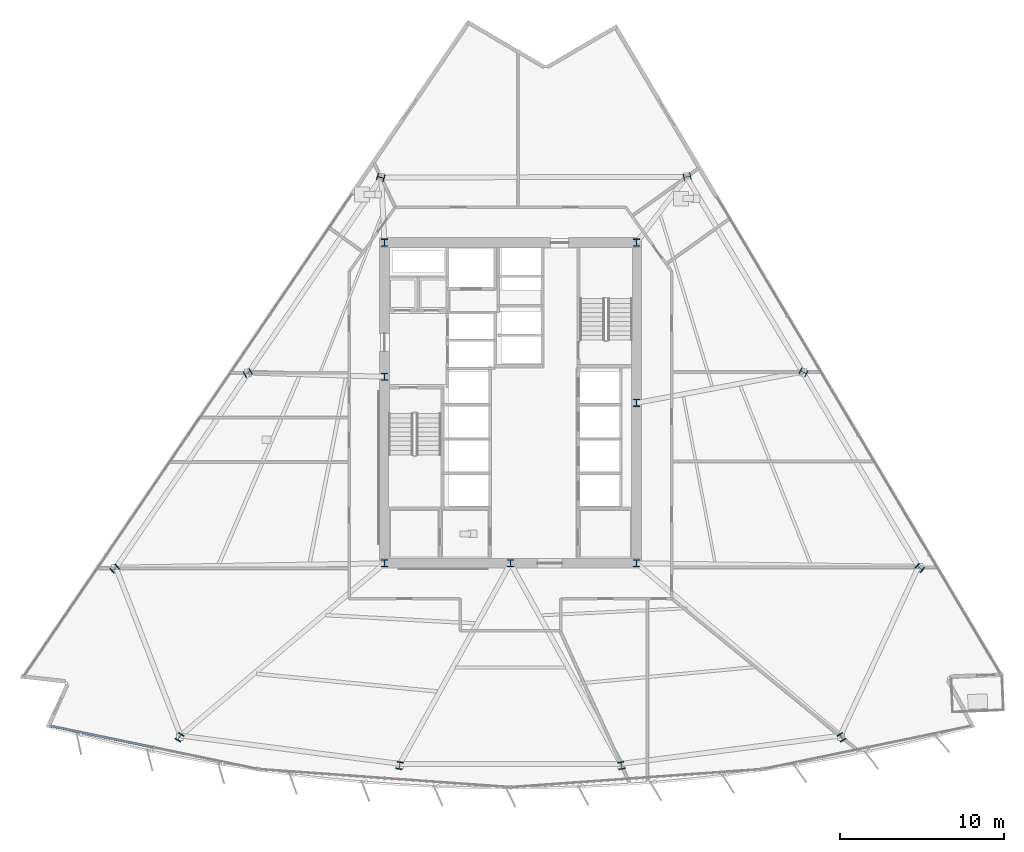
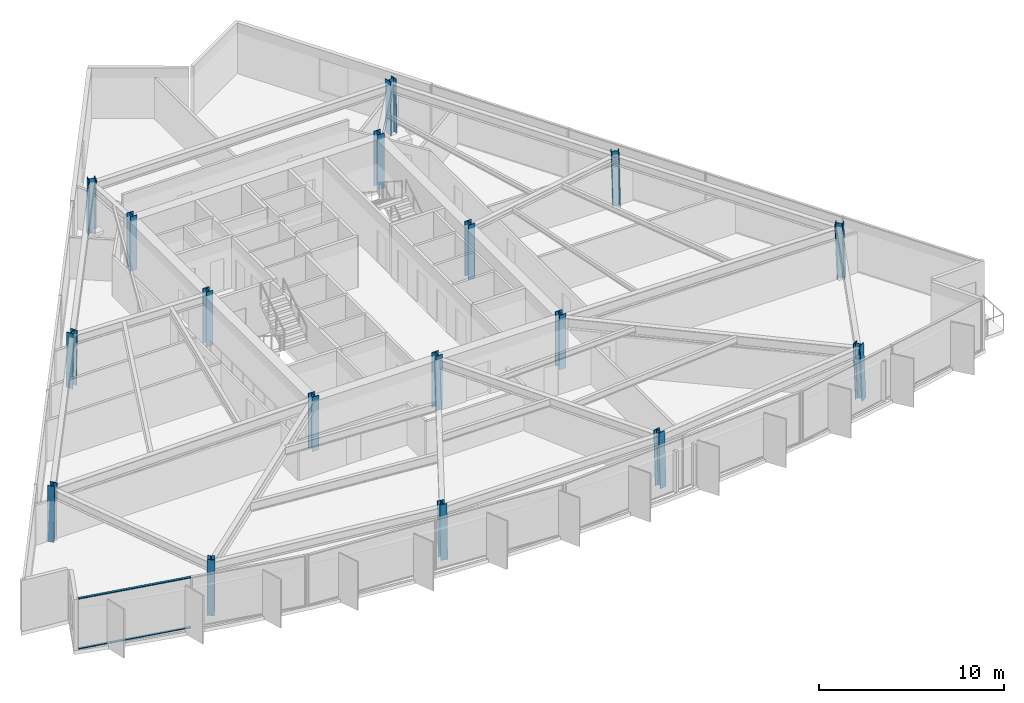
# One storey, part 1 of 16: 17 columns, 2 members, 1 element without a shape of its own.
"""IFC4 building model written with IfcOpenShell, lengths in metres."""

from ifc_helpers import new_model, si_unit, direction, frame, origin, origin_2d, place, context, subcontext, project, spatial, rectangle, i_section, extrude, material, material_profile, profile_set, type_object, element, aggregate, save


model = new_model("IFC4")

# Units and contexts
model_context = context("Model", 3, precision=1e-05, world=origin(), true_north=direction((0.0, 1.0)))
body_context = subcontext(model_context, "Body", "Model", "MODEL_VIEW")
ifc_project = project(units=[si_unit("LENGTHUNIT", "METRE"), si_unit("AREAUNIT", "SQUARE_METRE"), si_unit("VOLUMEUNIT", "CUBIC_METRE"), si_unit("PLANEANGLEUNIT", "RADIAN"), si_unit("MASSUNIT", "GRAM", prefix="KILO")], contexts=[model_context])

# Site, building, storey
site_placement = place(None, origin())
site = spatial("IfcSite", under=ifc_project, at=site_placement, CompositionType="ELEMENT")
building_placement = place(site_placement, origin())
building = spatial("IfcBuilding", under=site, at=building_placement, Name="Savorim Split Tower", CompositionType="ELEMENT")
storey_placement = place(building_placement, frame((0.0, 0.0, 33.60009765625)))
storey = spatial("IfcBuildingStorey", under=building, at=storey_placement, Name="L08", CompositionType="ELEMENT", Elevation=33.60009765625)

# Columns
ifc_material_1 = material(Name="Steel S460", Category="steel")
ifc_material_profile_1 = material_profile(ifc_material_1, i_section(OverallWidth=0.416015625, OverallDepth=0.446044921875, WebThickness=0.02490234375, FlangeThickness=0.0400390625, FilletRadius=0.014892578125, at=origin_2d()), Name="HD 400x509")
ifc_profile_set_1 = profile_set([ifc_material_profile_1], Name="Steel S460")
column_type = type_object("IfcColumnType", Name="COL-HD-509", PredefinedType="COLUMN", material=ifc_profile_set_1)
for number, where, z_axis, x_axis, name in (
    (1, (-7.699951171875, -9.39990234375, 0.0), (0.0, 0.0, 1.0), (1.0, 0.0, 0.0), "L08 Core Structural Column TC-C1"),
    (2, (7.699951171875, -9.39990234375, 0.0), (0.0, 0.0, 1.0), (1.0, 0.0, 0.0), "L08 Core Structural Column TC-C2"),
    (3, (7.699951171875, 10.199951171875, 0.0), (0.0, 0.0, 1.0), (1.0, 0.0, 0.0), "L08 Core Structural Column TC-C3"),
    (4, (-7.699951171875, 10.199951171875, 0.0), (0.0, 0.0, 1.0), (1.0, 0.0, 0.0), "L08 Core Structural Column TC-C4"),
    (5, (0.0, -9.39990234375, 0.0), (0.0, 0.0, 1.0), (1.0, 0.0, 0.0), "L08 Core Structural Column TC-C5"),
    (6, (7.699951171875, 0.39990234375, 0.0), (0.0, 0.0, 1.0), (1.0, 0.0, 0.0), "L08 Core Structural Column TC-C6"),
    (7, (-7.699951171875, 2.0, 0.0), (0.0, 0.0, 1.0), (1.0, 0.0, 0.0), "L08 Core Structural Column TC-C7"),
):
    element("IfcColumn", number, at=place(storey_placement, frame(where, z_axis=z_axis, x_axis=x_axis)), inside=storey, type_object=column_type, Name=name, PredefinedType="COLUMN", context=body_context, shape_type="SweptSolid", body=[
        extrude(i_section(OverallWidth=0.416015625, OverallDepth=0.446044921875, WebThickness=0.02490234375, FlangeThickness=0.0400390625, FilletRadius=0.014892578125, at=origin_2d()), origin(), (0.0, 0.0, 1.0), 3.599853515625),
    ])
column_1_placement = place(storey_placement, frame((-20.236083984375, -20.05126953125, 0.00537109375), z_axis=(0.020594893987, 0.033509183946, 0.999226193078), x_axis=(-0.851954850327, 0.523615252838, 0.0)))
element("IfcColumn", 8, at=column_1_placement, inside=storey, type_object=column_type, Name="L08 Tapered Perimeter Column PC-S1", PredefinedType="COLUMN", context=body_context, shape_type="SweptSolid", body=[
    extrude(i_section(OverallWidth=0.416015625, OverallDepth=0.446044921875, WebThickness=0.02490234375, FlangeThickness=0.0400390625, FilletRadius=0.014892578125, at=origin_2d()), origin(), (0.0, 0.0, 1.0), 3.591796875),
])
for number, where, z_axis, x_axis, name in (
    (9, (-6.781982421875, -21.778564453125, 0.00537109375), (0.006865841702, 0.035280909339, 0.999353850072), (-0.981585848295, 0.191021523464, 0.0), "L08 Tapered Perimeter Column PC-S2"),
    (10, (6.781982421875, -21.778564453125, 0.00537109375), (-0.006865841702, 0.035280909339, 0.999353850072), (-0.981585848295, -0.191021523464, 0.0), "L08 Tapered Perimeter Column PC-S3"),
):
    element("IfcColumn", number, at=place(storey_placement, frame(where, z_axis=z_axis, x_axis=x_axis)), inside=storey, type_object=column_type, Name=name, PredefinedType="COLUMN", context=body_context, shape_type="SweptSolid", body=[
        extrude(i_section(OverallWidth=0.416015625, OverallDepth=0.446044921875, WebThickness=0.02490234375, FlangeThickness=0.0400390625, FilletRadius=0.014892578125, at=origin_2d()), origin(), (0.0, 0.0, 1.0), 3.591552734375),
    ])
column_2_placement = place(storey_placement, frame((20.236083984375, -20.05126953125, 0.00537109375), z_axis=(-0.020594893987, 0.033509183946, 0.999226193078), x_axis=(-0.851954850327, -0.523615252838, 0.0)))
element("IfcColumn", 11, at=column_2_placement, inside=storey, type_object=column_type, Name="L08 Tapered Perimeter Column PC-S4", PredefinedType="COLUMN", context=body_context, shape_type="SweptSolid", body=[
    extrude(i_section(OverallWidth=0.416015625, OverallDepth=0.446044921875, WebThickness=0.02490234375, FlangeThickness=0.0400390625, FilletRadius=0.014892578125, at=origin_2d()), origin(), (0.0, 0.0, 1.0), 3.591796875),
])
column_3_placement = place(storey_placement, frame((25.02587890625, -9.690185546875, 0.00537109375), z_axis=(-0.026037763904, 0.021550838532, 0.999428634876), x_axis=(-0.637608877662, -0.770360252821, 0.0)))
element("IfcColumn", 12, at=column_3_placement, inside=storey, type_object=column_type, Name="L08 Tapered Perimeter Column PC-E1", PredefinedType="COLUMN", context=body_context, shape_type="SweptSolid", body=[
    extrude(i_section(OverallWidth=0.416015625, OverallDepth=0.446044921875, WebThickness=0.02490234375, FlangeThickness=0.0400390625, FilletRadius=0.014892578125, at=origin_2d()), origin(), (0.0, 0.0, 1.0), 3.591064453125),
])
column_4_placement = place(storey_placement, frame((17.91357421875, 2.27099609375, 0.00537109375), z_axis=(-0.018906041, 0.009521027842, 0.999775930718), x_axis=(-0.449781931574, -0.893138406984, 0.0)))
element("IfcColumn", 13, at=column_4_placement, inside=storey, type_object=column_type, Name="L08 Tapered Perimeter Column PC-E2", PredefinedType="COLUMN", context=body_context, shape_type="SweptSolid", body=[
    extrude(i_section(OverallWidth=0.416015625, OverallDepth=0.446044921875, WebThickness=0.02490234375, FlangeThickness=0.0400390625, FilletRadius=0.014892578125, at=origin_2d()), origin(), (0.0, 0.0, 1.0), 3.58984375),
])
for number, where, z_axis, x_axis, name in (
    (14, (10.80126953125, 14.232177734375, 0.00537109375), (-0.011767054935, -0.002516653368, 0.999927598816), (0.209143047003, -0.977885057607, 0.0), "L08 Tapered Perimeter Column PC-E3"),
    (15, (-7.92919921875, 14.183349609375, 0.00537109375), (0.008774547672, -0.002516730728, 0.999958335822), (0.275705143097, 0.961242255662, 0.0), "L08 Tapered Perimeter Column PC-W1"),
):
    element("IfcColumn", number, at=place(storey_placement, frame(where, z_axis=z_axis, x_axis=x_axis)), inside=storey, type_object=column_type, Name=name, PredefinedType="COLUMN", context=body_context, shape_type="SweptSolid", body=[
        extrude(i_section(OverallWidth=0.416015625, OverallDepth=0.446044921875, WebThickness=0.02490234375, FlangeThickness=0.0400390625, FilletRadius=0.014892578125, at=origin_2d()), origin(), (0.0, 0.0, 1.0), 3.58935546875),
    ])
column_5_placement = place(storey_placement, frame((-16.06640625, 2.22216796875, 0.00537109375), z_axis=(0.017070406608, 0.009521342331, 0.99980895438), x_axis=(-0.487119351792, 0.873335409284, 0.0)))
element("IfcColumn", 16, at=column_5_placement, inside=storey, type_object=column_type, Name="L08 Tapered Perimeter Column PC-W2", PredefinedType="COLUMN", context=body_context, shape_type="SweptSolid", body=[
    extrude(i_section(OverallWidth=0.416015625, OverallDepth=0.446044921875, WebThickness=0.02490234375, FlangeThickness=0.0400390625, FilletRadius=0.014892578125, at=origin_2d()), origin(), (0.0, 0.0, 1.0), 3.58984375),
])
column_6_placement = place(storey_placement, frame((-24.203369140625, -9.739013671875, 0.00537109375), z_axis=(0.025222486673, 0.021551289152, 0.999449532544), x_axis=(-0.649609258817, 0.760268249278, 0.0)))
element("IfcColumn", 17, at=column_6_placement, inside=storey, type_object=column_type, Name="L08 Tapered Perimeter Column PC-W3", PredefinedType="COLUMN", context=body_context, shape_type="SweptSolid", body=[
    extrude(i_section(OverallWidth=0.416015625, OverallDepth=0.446044921875, WebThickness=0.02490234375, FlangeThickness=0.0400390625, FilletRadius=0.014892578125, at=origin_2d()), origin(), (0.0, 0.0, 1.0), 3.591064453125),
])

# Curtain wall, members
ifc_material_2 = material(Name="Dark Ceramic-Fritted Insulated Glass", Category="glass")
curtain_wall_type = type_object("IfcCurtainWallType", Name="CW-TWR-FRIT-A", PredefinedType="NOTDEFINED", material=ifc_material_2)
curtain_wall_placement = place(storey_placement, origin())
curtain_wall = element("IfcCurtainWall", 18, at=curtain_wall_placement, inside=storey, type_object=curtain_wall_type, Name="L08 Curtain Wall CW-L08-SF1", PredefinedType="NOTDEFINED")
ifc_material_3 = material(Name="Charcoal Anodised Aluminium", Category="aluminium")
ifc_material_profile_2 = material_profile(ifc_material_3, rectangle(XDim=0.139892578125, YDim=0.054931640625, at=origin_2d()), Name="ALU-T 140x55")
ifc_profile_set_2 = profile_set([ifc_material_profile_2], Name="Charcoal Anodised Aluminium")
member_type = type_object("IfcMemberType", Name="CWT-140x55", PredefinedType="USERDEFINED", material=ifc_profile_set_2)
member_1_placement = place(storey_placement, frame((-28.096435546875, -19.34033203125, 0.02734375), z_axis=(0.979132403047, -0.203223368003, 0.0), x_axis=(0.203223368003, 0.979132403047, 0.0)))
member_1 = element("IfcMember", 19, at=member_1_placement, type_object=member_type, Name="CW-02 transom 1.1", ObjectType="TRANSOM", PredefinedType="USERDEFINED", context=body_context, shape_type="SweptSolid", body=[
    extrude(rectangle(XDim=0.139892578125, YDim=0.054931640625, at=origin_2d()), origin(), (0.0, 0.0, 1.0), 6.389892578125),
])
member_2_placement = place(storey_placement, frame((-28.096435546875, -19.34033203125, 3.322509765625), z_axis=(0.979132403047, -0.203223368003, 0.0), x_axis=(0.203223368003, 0.979132403047, 0.0)))
member_2 = element("IfcMember", 20, at=member_2_placement, type_object=member_type, Name="CW-02 transom 1.2", ObjectType="TRANSOM", PredefinedType="USERDEFINED", context=body_context, shape_type="SweptSolid", body=[
    extrude(rectangle(XDim=0.139892578125, YDim=0.054931640625, at=origin_2d()), origin(), (0.0, 0.0, 1.0), 6.389892578125),
])
aggregate(curtain_wall, [member_1, member_2])

save(model, "model.ifc")
